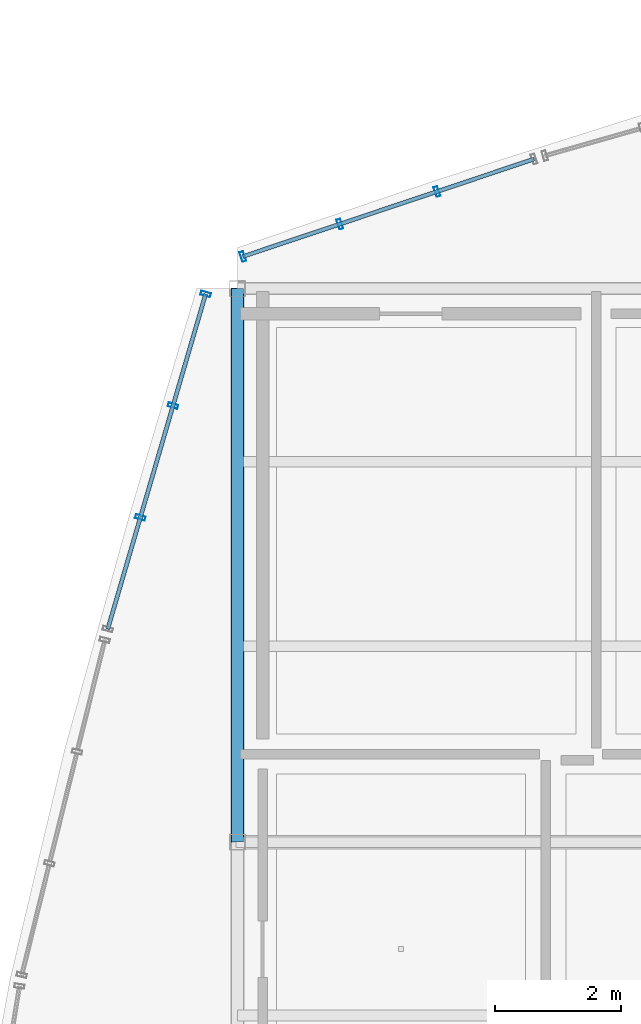
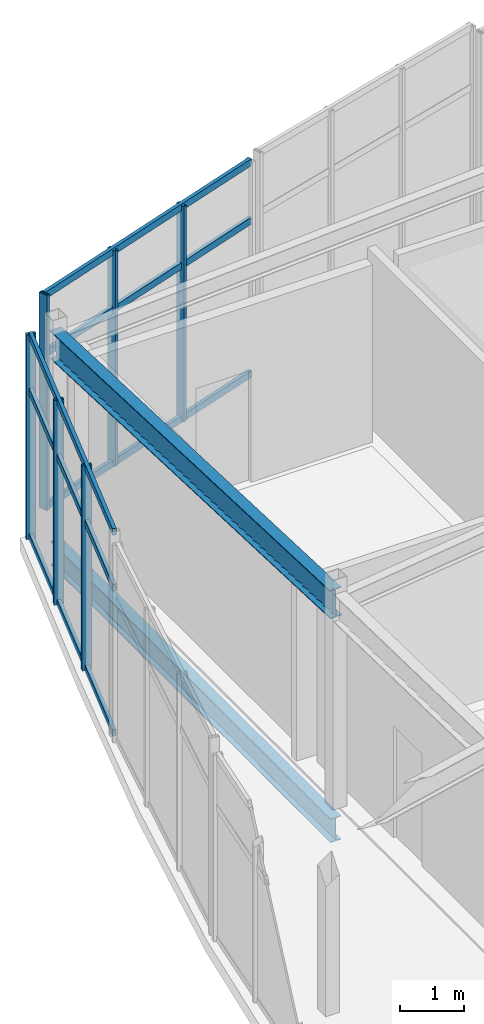
# One storey, part 29 of 114: 12 members, 2 beams, 2 elements without a shape of their own.
"""IFC4 building model written with IfcOpenShell, lengths in metres."""

from ifc_helpers import new_model, si_unit, direction, frame, origin, origin_2d, place, context, subcontext, project, spatial, hollow_rectangle, i_section, extrude, material, layer, layer_set, material_profile, profile_set, type_object, element, aggregate, save


model = new_model("IFC4")

# Units and contexts
model_context = context("Model", 3, precision=1e-05, world=origin(), true_north=direction((0.0, 1.0)))
body_context = subcontext(model_context, "Body", "Model", "MODEL_VIEW")
ifc_project = project(units=[si_unit("LENGTHUNIT", "METRE"), si_unit("AREAUNIT", "SQUARE_METRE"), si_unit("VOLUMEUNIT", "CUBIC_METRE"), si_unit("PLANEANGLEUNIT", "RADIAN"), si_unit("MASSUNIT", "GRAM", prefix="KILO")], contexts=[model_context])

# Site, building, storey
site_placement = place(None, origin())
site = spatial("IfcSite", under=ifc_project, at=site_placement, CompositionType="ELEMENT")
building_placement = place(site_placement, origin())
building = spatial("IfcBuilding", under=site, at=building_placement, Name="Chalmorin Arch Market", CompositionType="ELEMENT")
storey_placement = place(building_placement, frame((0.0, 0.0, 9.60009765625)))
storey = spatial("IfcBuildingStorey", under=building, at=storey_placement, Name="L02", CompositionType="ELEMENT", Elevation=9.60009765625)

# Curtain wall, members
ifc_material_1 = material(Name="Aluminium 6063-T6", Category="aluminium")
ifc_layer_1 = layer(ifc_material_1, 0.159912109375)
ifc_layer_set_1 = layer_set([ifc_layer_1], Name="Aluminium 6063-T6")
curtain_wall_type_1 = type_object("IfcCurtainWallType", Name="RiverfrontStorefrontCurtainWall-CW2-5550x3930", PredefinedType="NOTDEFINED", material=ifc_layer_set_1)
curtain_wall_1_placement = place(storey_placement, origin())
curtain_wall_1 = element("IfcCurtainWall", 1, at=curtain_wall_1_placement, inside=storey, type_object=curtain_wall_type_1, Name="CW-02-068", PredefinedType="NOTDEFINED")
ifc_material_profile_1 = material_profile(ifc_material_1, hollow_rectangle(XDim=0.06494140625, YDim=0.159912109375, WallThickness=0.00390625, at=origin_2d()), Name="ALU65X160X4")
ifc_profile_set_1 = profile_set([ifc_material_profile_1], Name="Aluminium 6063-T6")
member_type_1 = type_object("IfcMemberType", Name="CurtainWallMullion-65x160", PredefinedType="MULLION", material=ifc_profile_set_1)
member_1_placement = place(storey_placement, frame((-1.54296875, 46.362060546875, 0.0), z_axis=(0.0, 0.0, 1.0), x_axis=(0.275637355817, 0.961261695938, 0.0)))
member_1 = element("IfcMember", 2, at=member_1_placement, type_object=member_type_1, Name="ML-068-02", PredefinedType="MULLION", context=body_context, shape_type="SweptSolid", body=[
    extrude(hollow_rectangle(XDim=0.06494140625, YDim=0.159912109375, WallThickness=0.00390625, at=origin_2d()), origin(), (0.0, 0.0, 1.0), 3.927001953125),
])
member_2_placement = place(storey_placement, frame((-1.024169921875, 48.137939453125, 0.0), z_axis=(0.0, 0.0, 1.0), x_axis=(0.275637355817, 0.961261695938, 0.0)))
member_2 = element("IfcMember", 3, at=member_2_placement, type_object=member_type_1, Name="ML-068-03", PredefinedType="MULLION", context=body_context, shape_type="SweptSolid", body=[
    extrude(hollow_rectangle(XDim=0.06494140625, YDim=0.159912109375, WallThickness=0.00390625, at=origin_2d()), origin(), (0.0, 0.0, 1.0), 3.927001953125),
])
member_3_placement = place(storey_placement, frame((-0.505126953125, 49.91357421875, 0.0), z_axis=(0.0, 0.0, 1.0), x_axis=(0.275637355817, 0.961261695938, 0.0)))
member_3 = element("IfcMember", 4, at=member_3_placement, type_object=member_type_1, Name="ML-068-04", PredefinedType="MULLION", context=body_context, shape_type="SweptSolid", body=[
    extrude(hollow_rectangle(XDim=0.06494140625, YDim=0.159912109375, WallThickness=0.00390625, at=origin_2d()), origin(), (0.0, 0.0, 1.0), 3.927001953125),
])

ifc_layer_2 = layer(ifc_material_1, 0.159912109375)
ifc_layer_set_2 = layer_set([ifc_layer_2], Name="Aluminium 6063-T6")
curtain_wall_type_2 = type_object("IfcCurtainWallType", Name="RiverfrontStorefrontCurtainWall-CW2-4880x4130", PredefinedType="NOTDEFINED", material=ifc_layer_set_2)
curtain_wall_2_placement = place(storey_placement, origin())
curtain_wall_2 = element("IfcCurtainWall", 5, at=curtain_wall_2_placement, inside=storey, type_object=curtain_wall_type_2, Name="CW-02-071", PredefinedType="NOTDEFINED")
member_4_placement = place(storey_placement, frame((0.085205078125, 50.508544921875, 0.0), z_axis=(0.0, 0.0, 1.0), x_axis=(0.945518575599, 0.325568154457, 0.0)))
member_4 = element("IfcMember", 6, at=member_4_placement, type_object=member_type_1, Name="ML-071-01", PredefinedType="MULLION", context=body_context, shape_type="SweptSolid", body=[
    extrude(hollow_rectangle(XDim=0.06494140625, YDim=0.159912109375, WallThickness=0.00390625, at=origin_2d()), origin(), (0.0, 0.0, 1.0), 4.1318359375),
])
member_5_placement = place(storey_placement, frame((1.62841796875, 51.025146484375, 0.0), z_axis=(0.0, 0.0, 1.0), x_axis=(0.945518575599, 0.325568154457, 0.0)))
member_5 = element("IfcMember", 7, at=member_5_placement, type_object=member_type_1, Name="ML-071-02", PredefinedType="MULLION", context=body_context, shape_type="SweptSolid", body=[
    extrude(hollow_rectangle(XDim=0.06494140625, YDim=0.159912109375, WallThickness=0.00390625, at=origin_2d()), origin(), (0.0, 0.0, 1.0), 4.1318359375),
])
member_6_placement = place(storey_placement, frame((3.171630859375, 51.541748046875, 0.0), z_axis=(0.0, 0.0, 1.0), x_axis=(0.945518575599, 0.325568154457, 0.0)))
member_6 = element("IfcMember", 8, at=member_6_placement, type_object=member_type_1, Name="ML-071-03", PredefinedType="MULLION", context=body_context, shape_type="SweptSolid", body=[
    extrude(hollow_rectangle(XDim=0.06494140625, YDim=0.159912109375, WallThickness=0.00390625, at=origin_2d()), origin(), (0.0, 0.0, 1.0), 4.1318359375),
])

# Member
ifc_material_profile_2 = material_profile(ifc_material_1, hollow_rectangle(XDim=0.06494140625, YDim=0.1298828125, WallThickness=0.00390625, at=origin_2d()), Name="ALU65X130X4")
ifc_profile_set_2 = profile_set([ifc_material_profile_2], Name="Aluminium 6063-T6")
member_type_2 = type_object("IfcMemberType", Name="CurtainWallTransom-65x130", PredefinedType="USERDEFINED", material=ifc_profile_set_2)
member_7_placement = place(storey_placement, frame((-2.061767578125, 44.58642578125, 0.034912109375), z_axis=(0.280479701461, 0.959859957008, 0.0), x_axis=(-0.959859957008, 0.280479701461, 0.0)))
member_7 = element("IfcMember", 9, at=member_7_placement, type_object=member_type_2, Name="TR-068-01", ObjectType="TRANSOM", PredefinedType="USERDEFINED", context=body_context, shape_type="SweptSolid", body=[
    extrude(hollow_rectangle(XDim=0.06494140625, YDim=0.1298828125, WallThickness=0.00390625, at=origin_2d()), origin(), (0.0, 0.0, 1.0), 5.5498046875),
])

member_8_placement = place(storey_placement, frame((-2.061767578125, 44.58642578125, 2.827392578125), z_axis=(0.280479701461, 0.959859957008, 0.0), x_axis=(-0.959859957008, 0.280479701461, 0.0)))
member_8 = element("IfcMember", 10, at=member_8_placement, type_object=member_type_2, Name="TR-068-02", ObjectType="TRANSOM", PredefinedType="USERDEFINED", context=body_context, shape_type="SweptSolid", body=[
    extrude(hollow_rectangle(XDim=0.06494140625, YDim=0.1298828125, WallThickness=0.00390625, at=origin_2d()), origin(), (0.0, 0.0, 1.0), 5.5498046875),
])

member_9_placement = place(storey_placement, frame((-2.061767578125, 44.58642578125, 3.891845703125), z_axis=(0.280479701461, 0.959859957008, 0.0), x_axis=(-0.959859957008, 0.280479701461, 0.0)))
member_9 = element("IfcMember", 11, at=member_9_placement, type_object=member_type_2, Name="TR-068-03", ObjectType="TRANSOM", PredefinedType="USERDEFINED", context=body_context, shape_type="SweptSolid", body=[
    extrude(hollow_rectangle(XDim=0.06494140625, YDim=0.1298828125, WallThickness=0.00390625, at=origin_2d()), origin(), (0.0, 0.0, 1.0), 5.5498046875),
])

aggregate(curtain_wall_1, [member_1, member_2, member_3, member_7, member_8, member_9])

member_10_placement = place(storey_placement, frame((0.085205078125, 50.508544921875, 0.034912109375), z_axis=(0.948272425827, 0.317457723824, 0.0), x_axis=(-0.317457723824, 0.948272425827, 0.0)))
member_10 = element("IfcMember", 12, at=member_10_placement, type_object=member_type_2, Name="TR-071-01", ObjectType="TRANSOM", PredefinedType="USERDEFINED", context=body_context, shape_type="SweptSolid", body=[
    extrude(hollow_rectangle(XDim=0.06494140625, YDim=0.1298828125, WallThickness=0.00390625, at=origin_2d()), origin(), (0.0, 0.0, 1.0), 4.8818359375),
])

member_11_placement = place(storey_placement, frame((0.085205078125, 50.508544921875, 2.974853515625), z_axis=(0.948272425827, 0.317457723824, 0.0), x_axis=(-0.317457723824, 0.948272425827, 0.0)))
member_11 = element("IfcMember", 13, at=member_11_placement, type_object=member_type_2, Name="TR-071-02", ObjectType="TRANSOM", PredefinedType="USERDEFINED", context=body_context, shape_type="SweptSolid", body=[
    extrude(hollow_rectangle(XDim=0.06494140625, YDim=0.1298828125, WallThickness=0.00390625, at=origin_2d()), origin(), (0.0, 0.0, 1.0), 4.8818359375),
])

member_12_placement = place(storey_placement, frame((0.085205078125, 50.508544921875, 4.096923828125), z_axis=(0.948272425827, 0.317457723824, 0.0), x_axis=(-0.317457723824, 0.948272425827, 0.0)))
member_12 = element("IfcMember", 14, at=member_12_placement, type_object=member_type_2, Name="TR-071-03", ObjectType="TRANSOM", PredefinedType="USERDEFINED", context=body_context, shape_type="SweptSolid", body=[
    extrude(hollow_rectangle(XDim=0.06494140625, YDim=0.1298828125, WallThickness=0.00390625, at=origin_2d()), origin(), (0.0, 0.0, 1.0), 4.8818359375),
])

aggregate(curtain_wall_2, [member_4, member_5, member_6, member_10, member_11, member_12])

# Beams
ifc_material_2 = material(Name="Steel A992 Grade 50", Category="steel")
ifc_material_profile_3 = material_profile(ifc_material_2, i_section(OverallWidth=0.19091796875, OverallDepth=0.45703125, WebThickness=0.009033203125, FlangeThickness=0.014404296875, FilletRadius=0.02001953125, at=origin_2d()), Name="W18X50")
ifc_profile_set_3 = profile_set([ifc_material_profile_3], Name="Steel A992 Grade 50")
beam_type_1 = type_object("IfcBeamType", Name="PerimeterSpandrelBeam-W18X50", PredefinedType="SPANDREL", material=ifc_profile_set_3)
beam_1_placement = place(storey_placement, frame((0.0, 41.199951171875, -0.480712890625), z_axis=(0.0, 1.0, 0.0), x_axis=(-1.0, 0.0, 0.0)))
element("IfcBeam", 15, at=beam_1_placement, inside=storey, type_object=beam_type_1, Name="SP-W18-1148", PredefinedType="SPANDREL", context=body_context, shape_type="SweptSolid", body=[
    extrude(i_section(OverallWidth=0.19091796875, OverallDepth=0.45703125, WebThickness=0.009033203125, FlangeThickness=0.014404296875, FilletRadius=0.02001953125, at=origin_2d()), origin(), (0.0, 0.0, 1.0), 8.800048828125),
])
ifc_material_profile_4 = material_profile(ifc_material_2, i_section(OverallWidth=0.208984375, OverallDepth=0.532958984375, WebThickness=0.01025390625, FlangeThickness=0.015625, FilletRadius=0.02197265625, at=origin_2d()), Name="W21X62")
ifc_profile_set_4 = profile_set([ifc_material_profile_4], Name="Steel A992 Grade 50")
beam_type_2 = type_object("IfcBeamType", Name="PrimarySteelGirder-W21X62", PredefinedType="BEAM", material=ifc_profile_set_4)
beam_2_placement = place(storey_placement, frame((0.0, 41.199951171875, 3.86279296875), z_axis=(0.0, 0.999219449586, -0.039503057724), x_axis=(-1.0, 0.0, 0.0)))
element("IfcBeam", 16, at=beam_2_placement, inside=storey, type_object=beam_type_2, Name="BG-W21B-1527", PredefinedType="BEAM", context=body_context, shape_type="SweptSolid", body=[
    extrude(i_section(OverallWidth=0.208984375, OverallDepth=0.532958984375, WebThickness=0.01025390625, FlangeThickness=0.015625, FilletRadius=0.02197265625, at=origin_2d()), origin(), (0.0, 0.0, 1.0), 8.806884765625),
])

save(model, "model.ifc")
